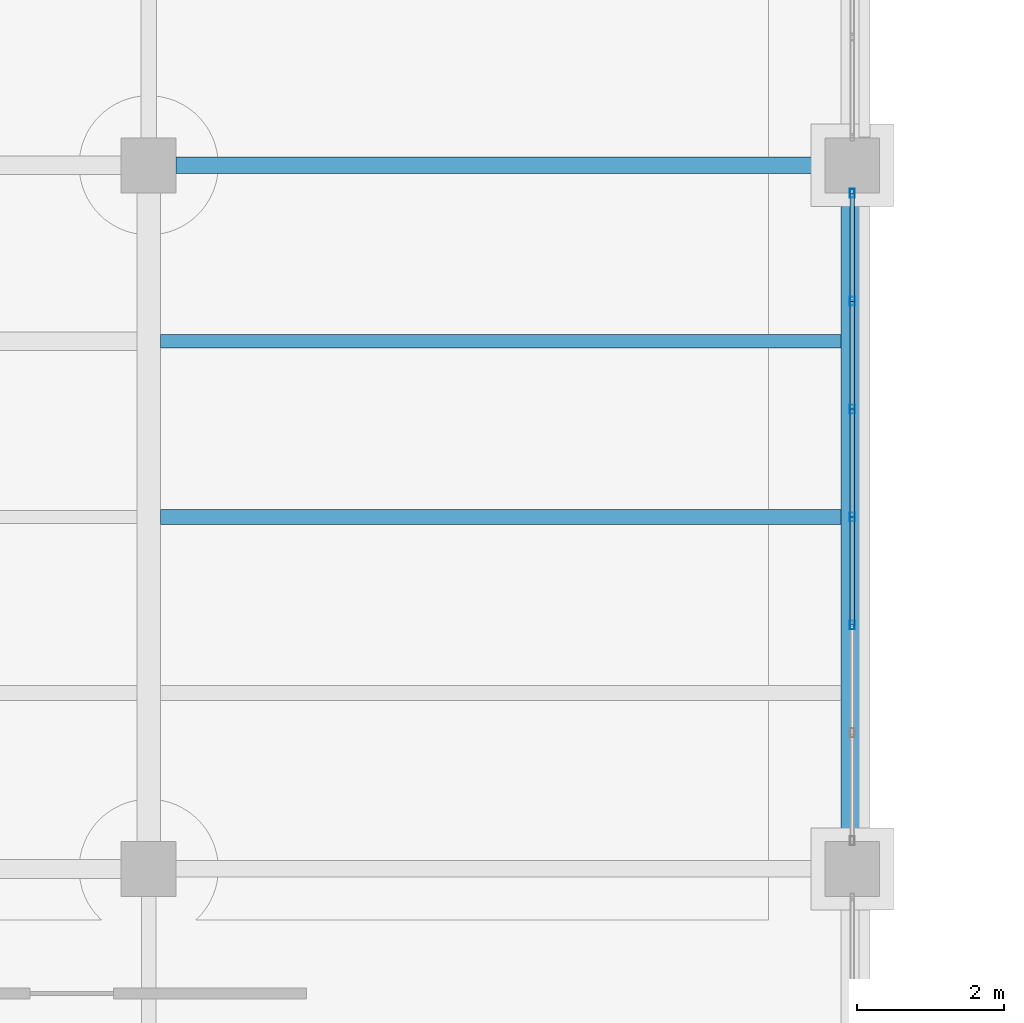
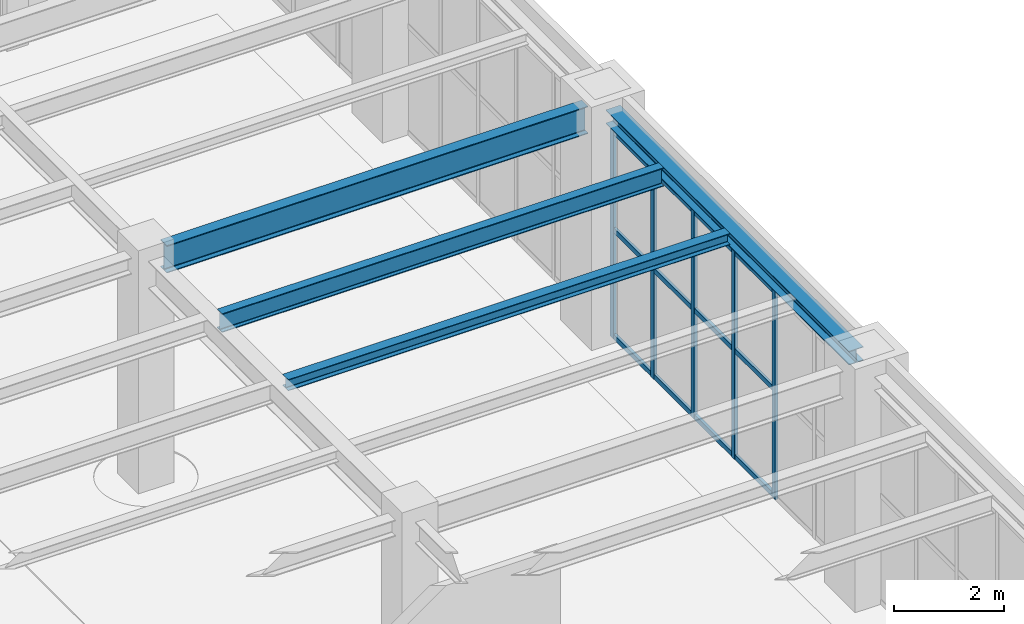
# One storey, part 80 of 164: 17 members, 4 beams, 1 element without a shape of its own.
"""IFC4 building model written with IfcOpenShell, lengths in metres."""

from ifc_helpers import new_model, si_unit, direction, frame, origin, origin_2d, place, context, subcontext, project, spatial, hollow_rectangle, i_section, extrude, material, material_profile, profile_set, type_object, element, aggregate, save


model = new_model("IFC4")

# Units and contexts
model_context = context("Model", 3, precision=1e-05, world=origin(), true_north=direction((0.0, 1.0)))
body_context = subcontext(model_context, "Body", "Model", "MODEL_VIEW")
ifc_project = project(units=[si_unit("LENGTHUNIT", "METRE"), si_unit("AREAUNIT", "SQUARE_METRE"), si_unit("VOLUMEUNIT", "CUBIC_METRE"), si_unit("PLANEANGLEUNIT", "RADIAN"), si_unit("MASSUNIT", "GRAM", prefix="KILO")], contexts=[model_context])

# Site, building, storey
site_placement = place(None, origin())
site = spatial("IfcSite", under=ifc_project, at=site_placement, CompositionType="ELEMENT")
building_placement = place(site_placement, origin())
building = spatial("IfcBuilding", under=site, at=building_placement, Name="Mavantir Sound Aquarium", CompositionType="ELEMENT")
storey_placement = place(building_placement, origin())
storey = spatial("IfcBuildingStorey", under=building, at=storey_placement, Name="L00", CompositionType="ELEMENT", Elevation=0.0)

# Beams
ifc_material_1 = material(Name="Structural Steel ASTM A992 Gr50", Category="steel")
ifc_material_profile_1 = material_profile(ifc_material_1, i_section(OverallWidth=0.202880859375, OverallDepth=0.251953125, WebThickness=0.008056640625, FlangeThickness=0.013427734375, FilletRadius=0.011962890625, at=origin_2d()), Name="W250X58")
ifc_profile_set_1 = profile_set([ifc_material_profile_1], Name="Structural Steel ASTM A992 Gr50")
beam_type_1 = type_object("IfcBeamType", Name="BM-W250X58-I", PredefinedType="JOIST", material=ifc_profile_set_1)
beam_1_placement = place(storey_placement, frame((28.9619140625, 98.0, 4.969970703125), z_axis=(1.0, 0.0, 0.0), x_axis=(0.0, 1.0, 0.0)))
element("IfcBeam", 1, at=beam_1_placement, inside=storey, type_object=beam_type_1, Name="L00 secondary floor joist SJ-25 592", PredefinedType="JOIST", context=body_context, shape_type="SweptSolid", body=[
    extrude(i_section(OverallWidth=0.202880859375, OverallDepth=0.251953125, WebThickness=0.008056640625, FlangeThickness=0.013427734375, FilletRadius=0.011962890625, at=origin_2d()), origin(), (0.0, 0.0, 1.0), 9.28564453125),
])
ifc_material_profile_2 = material_profile(ifc_material_1, i_section(OverallWidth=0.304931640625, OverallDepth=0.30810546875, WebThickness=0.010009765625, FlangeThickness=0.015380859375, FilletRadius=0.014892578125, at=origin_2d()), Name="W310X97")
ifc_profile_set_2 = profile_set([ifc_material_profile_2], Name="Structural Steel ASTM A992 Gr50")
beam_type_2 = type_object("IfcBeamType", Name="BM-W310X97-E", PredefinedType="SPANDREL", material=ifc_profile_set_2)
beam_2_placement = place(storey_placement, frame((38.39990234375, 93.574951171875, 4.94189453125), z_axis=(0.0, 1.0, 0.0), x_axis=(-1.0, 0.0, 0.0)))
element("IfcBeam", 2, at=beam_2_placement, inside=storey, type_object=beam_type_2, Name="L00 primary girder SS-31A 1067", PredefinedType="SPANDREL", context=body_context, shape_type="SweptSolid", body=[
    extrude(i_section(OverallWidth=0.304931640625, OverallDepth=0.30810546875, WebThickness=0.010009765625, FlangeThickness=0.015380859375, FilletRadius=0.014892578125, at=origin_2d()), origin(), (0.0, 0.0, 1.0), 8.85009765625),
])
ifc_material_profile_3 = material_profile(ifc_material_1, i_section(OverallWidth=0.180908203125, OverallDepth=0.4169921875, WebThickness=0.010986328125, FlangeThickness=0.018310546875, FilletRadius=0.014892578125, at=origin_2d()), Name="W410X85")
ifc_profile_set_3 = profile_set([ifc_material_profile_3], Name="Structural Steel ASTM A992 Gr50")
beam_type_3 = type_object("IfcBeamType", Name="BM-W410X85-I", PredefinedType="JOIST", material=ifc_profile_set_3)
beam_3_placement = place(storey_placement, frame((28.9619140625, 100.39990234375, 4.887451171875), z_axis=(1.0, 0.0, 0.0), x_axis=(0.0, 1.0, 0.0)))
element("IfcBeam", 3, at=beam_3_placement, inside=storey, type_object=beam_type_3, Name="L00 secondary floor joist SJ-41 593", PredefinedType="JOIST", context=body_context, shape_type="SweptSolid", body=[
    extrude(i_section(OverallWidth=0.180908203125, OverallDepth=0.4169921875, WebThickness=0.010986328125, FlangeThickness=0.018310546875, FilletRadius=0.014892578125, at=origin_2d()), origin(), (0.0, 0.0, 1.0), 9.28564453125),
])
ifc_material_profile_4 = material_profile(ifc_material_1, i_section(OverallWidth=0.22900390625, OverallDepth=0.612060546875, WebThickness=0.011962890625, FlangeThickness=0.01953125, FilletRadius=0.01904296875, at=origin_2d()), Name="W610X125")
ifc_profile_set_4 = profile_set([ifc_material_profile_4], Name="Structural Steel ASTM A992 Gr50")
beam_type_4 = type_object("IfcBeamType", Name="BM-W610X125-I", PredefinedType="BEAM", material=ifc_profile_set_4)
beam_4_placement = place(storey_placement, frame((29.175048828125, 102.800048828125, 4.7900390625), z_axis=(1.0, 0.0, 0.0), x_axis=(0.0, 1.0, 0.0)))
element("IfcBeam", 4, at=beam_4_placement, inside=storey, type_object=beam_type_4, Name="L00 primary beam SB-61B 1041", PredefinedType="BEAM", context=body_context, shape_type="SweptSolid", body=[
    extrude(i_section(OverallWidth=0.22900390625, OverallDepth=0.612060546875, WebThickness=0.011962890625, FlangeThickness=0.01953125, FilletRadius=0.01904296875, at=origin_2d()), origin(), (0.0, 0.0, 1.0), 8.849853515625),
])

# Curtain wall, members
ifc_material_2 = material(Name="Anodised Marine Aluminium and Low-E Glass", Category="aluminium")
curtain_wall_type = type_object("IfcCurtainWallType", Name="CW-T08", PredefinedType="USERDEFINED", material=ifc_material_2)
curtain_wall_placement = place(storey_placement, origin())
curtain_wall = element("IfcCurtainWall", 5, at=curtain_wall_placement, inside=storey, type_object=curtain_wall_type, Name="L00 unitised curtain wall CW-08 32", ObjectType="UNITISED GLAZING", PredefinedType="USERDEFINED")
ifc_material_3 = material(Name="Anodised Marine Aluminium 6063-T6", Category="aluminium")
ifc_material_profile_5 = material_profile(ifc_material_3, hollow_rectangle(XDim=0.06494140625, YDim=0.1201171875, WallThickness=0.00390625, at=origin_2d()), Name="ALU-MULLION-120X65")
ifc_profile_set_5 = profile_set([ifc_material_profile_5], Name="Anodised Marine Aluminium 6063-T6")
member_type_1 = type_object("IfcMemberType", Name="CW-MUL-120", PredefinedType="MULLION", material=ifc_profile_set_5)
member_1_placement = place(storey_placement, frame((38.39990234375, 96.527587890625, 0.0), z_axis=(0.0, 0.0, 1.0), x_axis=(1.0, 0.0, 0.0)))
member_1 = element("IfcMember", 6, at=member_1_placement, type_object=member_type_1, Name="CW-L00-032 vertical mullion 3", PredefinedType="MULLION", context=body_context, shape_type="SweptSolid", body=[
    extrude(hollow_rectangle(XDim=0.06494140625, YDim=0.1201171875, WallThickness=0.00390625, at=origin_2d()), origin(), (0.0, 0.0, 1.0), 4.64892578125),
])
member_2_placement = place(storey_placement, frame((38.39990234375, 98.0, 0.0), z_axis=(0.0, 0.0, 1.0), x_axis=(1.0, 0.0, 0.0)))
member_2 = element("IfcMember", 7, at=member_2_placement, type_object=member_type_1, Name="CW-L00-032 vertical mullion 4", PredefinedType="MULLION", context=body_context, shape_type="SweptSolid", body=[
    extrude(hollow_rectangle(XDim=0.06494140625, YDim=0.1201171875, WallThickness=0.00390625, at=origin_2d()), origin(), (0.0, 0.0, 1.0), 4.64892578125),
])
member_3_placement = place(storey_placement, frame((38.39990234375, 99.472412109375, 0.0), z_axis=(0.0, 0.0, 1.0), x_axis=(1.0, 0.0, 0.0)))
member_3 = element("IfcMember", 8, at=member_3_placement, type_object=member_type_1, Name="CW-L00-032 vertical mullion 5", PredefinedType="MULLION", context=body_context, shape_type="SweptSolid", body=[
    extrude(hollow_rectangle(XDim=0.06494140625, YDim=0.1201171875, WallThickness=0.00390625, at=origin_2d()), origin(), (0.0, 0.0, 1.0), 4.64892578125),
])
member_4_placement = place(storey_placement, frame((38.39990234375, 100.944580078125, 0.0), z_axis=(0.0, 0.0, 1.0), x_axis=(1.0, 0.0, 0.0)))
member_4 = element("IfcMember", 9, at=member_4_placement, type_object=member_type_1, Name="CW-L00-032 vertical mullion 6", PredefinedType="MULLION", context=body_context, shape_type="SweptSolid", body=[
    extrude(hollow_rectangle(XDim=0.06494140625, YDim=0.1201171875, WallThickness=0.00390625, at=origin_2d()), origin(), (0.0, 0.0, 1.0), 4.64892578125),
])
member_5_placement = place(storey_placement, frame((38.39990234375, 102.4169921875, 0.0), z_axis=(0.0, 0.0, 1.0), x_axis=(1.0, 0.0, 0.0)))
member_5 = element("IfcMember", 10, at=member_5_placement, type_object=member_type_1, Name="CW-L00-032 vertical mullion 7", PredefinedType="MULLION", context=body_context, shape_type="SweptSolid", body=[
    extrude(hollow_rectangle(XDim=0.06494140625, YDim=0.1201171875, WallThickness=0.00390625, at=origin_2d()), origin(), (0.0, 0.0, 1.0), 4.64892578125),
])
ifc_material_profile_6 = material_profile(ifc_material_3, hollow_rectangle(XDim=0.06005859375, YDim=0.110107421875, WallThickness=0.00390625, at=origin_2d()), Name="ALU-TRANSOM-110X60")
ifc_profile_set_6 = profile_set([ifc_material_profile_6], Name="Anodised Marine Aluminium 6063-T6")
member_type_2 = type_object("IfcMemberType", Name="CW-TRN-110", PredefinedType="USERDEFINED", material=ifc_profile_set_6)
member_6_placement = place(storey_placement, frame((38.39990234375, 96.527587890625, 0.054931640625), z_axis=(0.0, 1.0, 0.0), x_axis=(-1.0, 0.0, 0.0)))
member_6 = element("IfcMember", 11, at=member_6_placement, type_object=member_type_2, Name="CW-L00-032 transom 3.1", ObjectType="TRANSOM", PredefinedType="USERDEFINED", context=body_context, shape_type="SweptSolid", body=[
    extrude(hollow_rectangle(XDim=0.06005859375, YDim=0.110107421875, WallThickness=0.00390625, at=origin_2d()), origin(), (0.0, 0.0, 1.0), 1.472412109375),
])
member_7_placement = place(storey_placement, frame((38.39990234375, 96.527587890625, 2.41748046875), z_axis=(0.0, 1.0, 0.0), x_axis=(-1.0, 0.0, 0.0)))
member_7 = element("IfcMember", 12, at=member_7_placement, type_object=member_type_2, Name="CW-L00-032 transom 3.2", ObjectType="TRANSOM", PredefinedType="USERDEFINED", context=body_context, shape_type="SweptSolid", body=[
    extrude(hollow_rectangle(XDim=0.06005859375, YDim=0.110107421875, WallThickness=0.00390625, at=origin_2d()), origin(), (0.0, 0.0, 1.0), 1.472412109375),
])
member_8_placement = place(storey_placement, frame((38.39990234375, 96.527587890625, 4.593994140625), z_axis=(0.0, 1.0, 0.0), x_axis=(-1.0, 0.0, 0.0)))
member_8 = element("IfcMember", 13, at=member_8_placement, type_object=member_type_2, Name="CW-L00-032 transom 3.3", ObjectType="TRANSOM", PredefinedType="USERDEFINED", context=body_context, shape_type="SweptSolid", body=[
    extrude(hollow_rectangle(XDim=0.06005859375, YDim=0.110107421875, WallThickness=0.00390625, at=origin_2d()), origin(), (0.0, 0.0, 1.0), 1.472412109375),
])
member_9_placement = place(storey_placement, frame((38.39990234375, 98.0, 0.054931640625), z_axis=(0.0, 1.0, 0.0), x_axis=(-1.0, 0.0, 0.0)))
member_9 = element("IfcMember", 14, at=member_9_placement, type_object=member_type_2, Name="CW-L00-032 transom 4.1", ObjectType="TRANSOM", PredefinedType="USERDEFINED", context=body_context, shape_type="SweptSolid", body=[
    extrude(hollow_rectangle(XDim=0.06005859375, YDim=0.110107421875, WallThickness=0.00390625, at=origin_2d()), origin(), (0.0, 0.0, 1.0), 1.472412109375),
])
member_10_placement = place(storey_placement, frame((38.39990234375, 98.0, 2.41748046875), z_axis=(0.0, 1.0, 0.0), x_axis=(-1.0, 0.0, 0.0)))
member_10 = element("IfcMember", 15, at=member_10_placement, type_object=member_type_2, Name="CW-L00-032 transom 4.2", ObjectType="TRANSOM", PredefinedType="USERDEFINED", context=body_context, shape_type="SweptSolid", body=[
    extrude(hollow_rectangle(XDim=0.06005859375, YDim=0.110107421875, WallThickness=0.00390625, at=origin_2d()), origin(), (0.0, 0.0, 1.0), 1.472412109375),
])
member_11_placement = place(storey_placement, frame((38.39990234375, 98.0, 4.593994140625), z_axis=(0.0, 1.0, 0.0), x_axis=(-1.0, 0.0, 0.0)))
member_11 = element("IfcMember", 16, at=member_11_placement, type_object=member_type_2, Name="CW-L00-032 transom 4.3", ObjectType="TRANSOM", PredefinedType="USERDEFINED", context=body_context, shape_type="SweptSolid", body=[
    extrude(hollow_rectangle(XDim=0.06005859375, YDim=0.110107421875, WallThickness=0.00390625, at=origin_2d()), origin(), (0.0, 0.0, 1.0), 1.472412109375),
])
member_12_placement = place(storey_placement, frame((38.39990234375, 99.472412109375, 0.054931640625), z_axis=(0.0, 1.0, 0.0), x_axis=(-1.0, 0.0, 0.0)))
member_12 = element("IfcMember", 17, at=member_12_placement, type_object=member_type_2, Name="CW-L00-032 transom 5.1", ObjectType="TRANSOM", PredefinedType="USERDEFINED", context=body_context, shape_type="SweptSolid", body=[
    extrude(hollow_rectangle(XDim=0.06005859375, YDim=0.110107421875, WallThickness=0.00390625, at=origin_2d()), origin(), (0.0, 0.0, 1.0), 1.47216796875),
])
member_13_placement = place(storey_placement, frame((38.39990234375, 99.472412109375, 2.41748046875), z_axis=(0.0, 1.0, 0.0), x_axis=(-1.0, 0.0, 0.0)))
member_13 = element("IfcMember", 18, at=member_13_placement, type_object=member_type_2, Name="CW-L00-032 transom 5.2", ObjectType="TRANSOM", PredefinedType="USERDEFINED", context=body_context, shape_type="SweptSolid", body=[
    extrude(hollow_rectangle(XDim=0.06005859375, YDim=0.110107421875, WallThickness=0.00390625, at=origin_2d()), origin(), (0.0, 0.0, 1.0), 1.47216796875),
])
member_14_placement = place(storey_placement, frame((38.39990234375, 99.472412109375, 4.593994140625), z_axis=(0.0, 1.0, 0.0), x_axis=(-1.0, 0.0, 0.0)))
member_14 = element("IfcMember", 19, at=member_14_placement, type_object=member_type_2, Name="CW-L00-032 transom 5.3", ObjectType="TRANSOM", PredefinedType="USERDEFINED", context=body_context, shape_type="SweptSolid", body=[
    extrude(hollow_rectangle(XDim=0.06005859375, YDim=0.110107421875, WallThickness=0.00390625, at=origin_2d()), origin(), (0.0, 0.0, 1.0), 1.47216796875),
])
member_15_placement = place(storey_placement, frame((38.39990234375, 100.944580078125, 0.054931640625), z_axis=(0.0, 1.0, 0.0), x_axis=(-1.0, 0.0, 0.0)))
member_15 = element("IfcMember", 20, at=member_15_placement, type_object=member_type_2, Name="CW-L00-032 transom 6.1", ObjectType="TRANSOM", PredefinedType="USERDEFINED", context=body_context, shape_type="SweptSolid", body=[
    extrude(hollow_rectangle(XDim=0.06005859375, YDim=0.110107421875, WallThickness=0.00390625, at=origin_2d()), origin(), (0.0, 0.0, 1.0), 1.472412109375),
])
member_16_placement = place(storey_placement, frame((38.39990234375, 100.944580078125, 2.41748046875), z_axis=(0.0, 1.0, 0.0), x_axis=(-1.0, 0.0, 0.0)))
member_16 = element("IfcMember", 21, at=member_16_placement, type_object=member_type_2, Name="CW-L00-032 transom 6.2", ObjectType="TRANSOM", PredefinedType="USERDEFINED", context=body_context, shape_type="SweptSolid", body=[
    extrude(hollow_rectangle(XDim=0.06005859375, YDim=0.110107421875, WallThickness=0.00390625, at=origin_2d()), origin(), (0.0, 0.0, 1.0), 1.472412109375),
])
member_17_placement = place(storey_placement, frame((38.39990234375, 100.944580078125, 4.593994140625), z_axis=(0.0, 1.0, 0.0), x_axis=(-1.0, 0.0, 0.0)))
member_17 = element("IfcMember", 22, at=member_17_placement, type_object=member_type_2, Name="CW-L00-032 transom 6.3", ObjectType="TRANSOM", PredefinedType="USERDEFINED", context=body_context, shape_type="SweptSolid", body=[
    extrude(hollow_rectangle(XDim=0.06005859375, YDim=0.110107421875, WallThickness=0.00390625, at=origin_2d()), origin(), (0.0, 0.0, 1.0), 1.472412109375),
])
aggregate(curtain_wall, [member_1, member_2, member_3, member_4, member_5, member_6, member_7, member_8, member_9, member_10, member_11, member_12, member_13, member_14, member_15, member_16, member_17])

save(model, "model.ifc")
